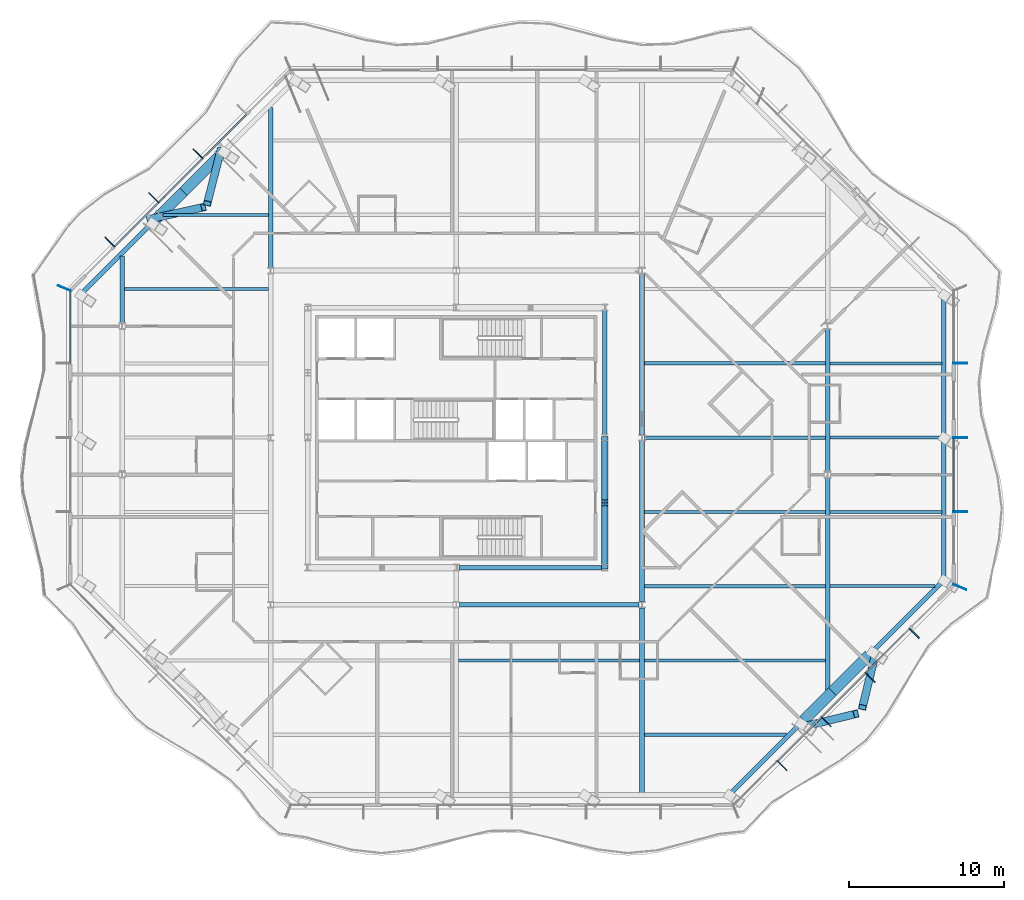
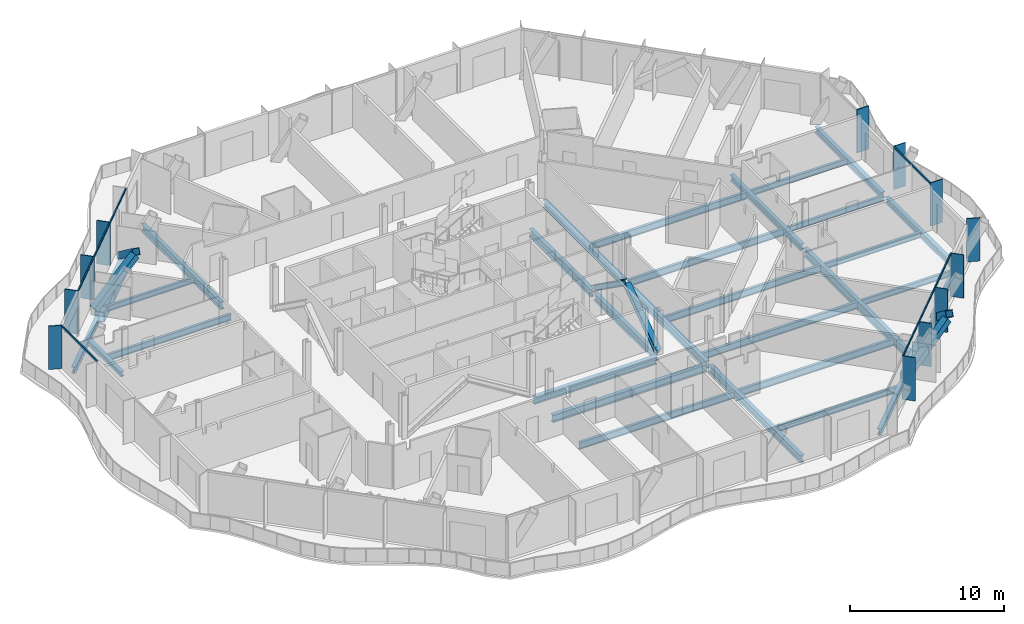
# One storey, part 4 of 19: 33 beams, 26 members, 4 elements without a shape of their own.
"""IFC4 building model written with IfcOpenShell, lengths in metres."""

from ifc_helpers import new_model, si_unit, direction, frame, origin, origin_2d, place, context, subcontext, project, spatial, rectangle, hollow_rectangle, i_section, extrude, material, material_profile, profile_set, type_object, element, aggregate, save


model = new_model("IFC4")

# Units and contexts
model_context = context("Model", 3, precision=1e-05, world=origin(), true_north=direction((0.0, 1.0)))
body_context = subcontext(model_context, "Body", "Model", "MODEL_VIEW")
ifc_project = project(units=[si_unit("LENGTHUNIT", "METRE"), si_unit("AREAUNIT", "SQUARE_METRE"), si_unit("VOLUMEUNIT", "CUBIC_METRE"), si_unit("PLANEANGLEUNIT", "RADIAN"), si_unit("MASSUNIT", "GRAM", prefix="KILO")], contexts=[model_context])

# Site, building, storey
site_placement = place(None, origin())
site = spatial("IfcSite", under=ifc_project, at=site_placement, CompositionType="ELEMENT")
building_placement = place(site_placement, origin())
building = spatial("IfcBuilding", under=site, at=building_placement, Name="Cairn Pilgrim Tower", CompositionType="ELEMENT")
storey_placement = place(building_placement, frame((0.0, 0.0, 186.60009765625)))
storey = spatial("IfcBuildingStorey", under=building, at=storey_placement, Name="L47", CompositionType="ELEMENT", Elevation=186.60009765625)

# Members
ifc_material_1 = material(Name="Structural steel S460M", Category="steel")
ifc_material_profile_1 = material_profile(ifc_material_1, hollow_rectangle(XDim=0.5, YDim=0.5, WallThickness=0.030029296875, at=origin_2d()), Name="BOX 500x500x30")
ifc_profile_set_1 = profile_set([ifc_material_profile_1], Name="Structural steel S460M")
member_type_1 = type_object("IfcMemberType", Name="BOX 500x500x30 BRACE", PredefinedType="BRACE", material=ifc_profile_set_1)
for number, where, z_axis, x_axis, name in (
    (1, (29.716552734375, -16.256103515625, 0.14990234375), (0.771705070159, 0.18757668962, 0.607689287549), (-0.236190662616, 0.971706730909, 0.0), "XB-SE2-SE3-1"),
    (2, (34.256103515625, -11.716552734375, 0.14990234375), (-0.18757668962, -0.771705070159, 0.607689287549), (0.971706730909, -0.236190662616, 0.0), "XB-SE2-SE3-2"),
):
    element("IfcMember", number, at=place(storey_placement, frame(where, z_axis=z_axis, x_axis=x_axis)), inside=storey, type_object=member_type_1, Name=name, PredefinedType="BRACE", context=body_context, shape_type="SweptSolid", body=[
        extrude(hollow_rectangle(XDim=0.5, YDim=0.5, WallThickness=0.030029296875, at=origin_2d()), origin(), (0.0, 0.0, 1.0), 4.289794921875),
    ])
member_1_placement = place(storey_placement, frame((-8.02490234375, 20.99365234375, 0.091552734375), z_axis=(-0.195314443932, -0.776263784606, 0.599388692504), x_axis=(0.969774394429, -0.244003327662, 0.0)))
element("IfcMember", 3, at=member_1_placement, inside=storey, type_object=member_type_1, Name="XB-NW2-NW3-1", PredefinedType="BRACE", context=body_context, shape_type="SweptSolid", body=[
    extrude(hollow_rectangle(XDim=0.5, YDim=0.5, WallThickness=0.030029296875, at=origin_2d()), origin(), (0.0, 0.0, 1.0), 4.44873046875),
])
member_2_placement = place(storey_placement, frame((-12.656005859375, 16.5166015625, 0.14990234375), z_axis=(0.790770737292, 0.174836054964, 0.586612303763), x_axis=(-0.215882190598, 0.976419417967, 0.0)))
element("IfcMember", 4, at=member_2_placement, inside=storey, type_object=member_type_1, Name="XB-NW2-NW3-2", PredefinedType="BRACE", context=body_context, shape_type="SweptSolid", body=[
    extrude(hollow_rectangle(XDim=0.5, YDim=0.5, WallThickness=0.030029296875, at=origin_2d()), origin(), (0.0, 0.0, 1.0), 4.446044921875),
])

# Beams
ifc_material_2 = material(Name="Structural steel S355J2", Category="steel")
ifc_material_profile_2 = material_profile(ifc_material_2, hollow_rectangle(XDim=0.699951171875, YDim=0.800048828125, WallThickness=0.0400390625, at=origin_2d()), Name="BOX 700x800x40")
ifc_profile_set_2 = profile_set([ifc_material_profile_2], Name="Structural steel S355J2")
beam_type_1 = type_object("IfcBeamType", Name="BOX 700x800x40 RING GIRDER", PredefinedType="SPANDREL", material=ifc_profile_set_2)
beam_1_placement = place(storey_placement, frame((29.642333984375, -15.884765625, -0.550048828125), z_axis=(0.707153217357, 0.707060341967, 0.0), x_axis=(-0.707060341967, 0.707153217357, 0.0)))
element("IfcBeam", 5, at=beam_1_placement, inside=storey, type_object=beam_type_1, Name="RG2-SE2-SE3-1", PredefinedType="SPANDREL", context=body_context, shape_type="SweptSolid", body=[
    extrude(hollow_rectangle(XDim=0.699951171875, YDim=0.800048828125, WallThickness=0.0400390625, at=origin_2d()), origin(), (0.0, 0.0, 1.0), 2.628662109375),
])
for number, where, z_axis, x_axis, name in (
    (6, (31.501220703125, -14.026123046875, -0.550048828125), (0.707070568512, 0.707142992006, 0.0), (-0.707142992006, 0.707070568512, 0.0), "RG2-SE2-SE3-2"),
    (7, (-8.04248046875, 20.684814453125, -0.550048828125), (-0.707070568512, -0.707142992006, 0.0), (0.707142992006, -0.707070568512, 0.0), "RG2-NW2-NW3-1"),
):
    element("IfcBeam", number, at=place(storey_placement, frame(where, z_axis=z_axis, x_axis=x_axis)), inside=storey, type_object=beam_type_1, Name=name, PredefinedType="SPANDREL", context=body_context, shape_type="SweptSolid", body=[
        extrude(hollow_rectangle(XDim=0.699951171875, YDim=0.800048828125, WallThickness=0.0400390625, at=origin_2d()), origin(), (0.0, 0.0, 1.0), 3.37109375),
    ])
beam_2_placement = place(storey_placement, frame((-10.426025390625, 18.301025390625, -0.550048828125), z_axis=(-0.707153217357, -0.707060341967, 0.0), x_axis=(0.707060341967, -0.707153217357, 0.0)))
element("IfcBeam", 8, at=beam_2_placement, inside=storey, type_object=beam_type_1, Name="RG2-NW2-NW3-2", PredefinedType="SPANDREL", context=body_context, shape_type="SweptSolid", body=[
    extrude(hollow_rectangle(XDim=0.699951171875, YDim=0.800048828125, WallThickness=0.0400390625, at=origin_2d()), origin(), (0.0, 0.0, 1.0), 2.628662109375),
])

# Curtain wall, members
ifc_material_3 = material(Name="Aluminium alloy 6063-T6 bronze anodised with Bronze tinted laminated low-E glass 8+16+8.8", Category="aluminium")
curtain_wall_type_1 = type_object("IfcCurtainWallType", Name="CHAMFER CORNER CURTAIN WALL", PredefinedType="NOTDEFINED", material=ifc_material_3)
curtain_wall_1_placement = place(storey_placement, origin())
curtain_wall_1 = element("IfcCurtainWall", 9, at=curtain_wall_1_placement, inside=storey, type_object=curtain_wall_type_1, Name="Chamfer Corner Curtain Wall SE", PredefinedType="NOTDEFINED")
ifc_material_4 = material(Name="Aluminium alloy 6063-T6 bronze anodised", Category="aluminium")
ifc_material_profile_3 = material_profile(ifc_material_4, rectangle(XDim=0.89990234375, YDim=0.06005859375, at=origin_2d()), Name="FIN MULLION 60x900 BRONZE")
ifc_profile_set_3 = profile_set([ifc_material_profile_3], Name="Aluminium alloy 6063-T6 bronze anodised")
member_type_2 = type_object("IfcMemberType", Name="FIN MULLION 60x900 BRONZE", PredefinedType="MULLION", material=ifc_profile_set_3)
member_3_placement = place(storey_placement, frame((28.244140625, -18.79638671875, 0.0), z_axis=(0.0, 0.0, 1.0), x_axis=(0.707106781187, -0.707106781187, 0.0)))
member_3 = element("IfcMember", 10, at=member_3_placement, type_object=member_type_2, Name="Fin mullion SE2", PredefinedType="MULLION", context=body_context, shape_type="SweptSolid", body=[
    extrude(rectangle(XDim=0.89990234375, YDim=0.06005859375, at=origin_2d()), origin(), (0.0, 0.0, 1.0), 3.449951171875),
])
member_4_placement = place(storey_placement, frame((31.094970703125, -15.945556640625, 0.0), z_axis=(0.0, 0.0, 1.0), x_axis=(0.707106781187, -0.707106781187, 0.0)))
member_4 = element("IfcMember", 11, at=member_4_placement, type_object=member_type_2, Name="Fin mullion SE3", PredefinedType="MULLION", context=body_context, shape_type="SweptSolid", body=[
    extrude(rectangle(XDim=0.89990234375, YDim=0.06005859375, at=origin_2d()), origin(), (0.0, 0.0, 1.0), 3.449951171875),
])
member_5_placement = place(storey_placement, frame((33.945556640625, -13.094970703125, 0.0), z_axis=(0.0, 0.0, 1.0), x_axis=(0.707106781187, -0.707106781187, 0.0)))
member_5 = element("IfcMember", 12, at=member_5_placement, type_object=member_type_2, Name="Fin mullion SE4", PredefinedType="MULLION", context=body_context, shape_type="SweptSolid", body=[
    extrude(rectangle(XDim=0.89990234375, YDim=0.06005859375, at=origin_2d()), origin(), (0.0, 0.0, 1.0), 3.449951171875),
])
member_6_placement = place(storey_placement, frame((36.79638671875, -10.244140625, 0.0), z_axis=(0.0, 0.0, 1.0), x_axis=(0.707106781187, -0.707106781187, 0.0)))
member_6 = element("IfcMember", 13, at=member_6_placement, type_object=member_type_2, Name="Fin mullion SE5", PredefinedType="MULLION", context=body_context, shape_type="SweptSolid", body=[
    extrude(rectangle(XDim=0.89990234375, YDim=0.06005859375, at=origin_2d()), origin(), (0.0, 0.0, 1.0), 3.449951171875),
])

curtain_wall_type_2 = type_object("IfcCurtainWallType", Name="TOWER STICK CURTAIN WALL EW", PredefinedType="NOTDEFINED", material=ifc_material_3)
curtain_wall_2_placement = place(storey_placement, origin())
curtain_wall_2 = element("IfcCurtainWall", 14, at=curtain_wall_2_placement, inside=storey, type_object=curtain_wall_type_2, Name="Tower Stick Curtain Wall Ew E", PredefinedType="NOTDEFINED")
member_7_placement = place(storey_placement, frame((39.738037109375, -7.257080078125, 0.0), z_axis=(0.0, 0.0, 1.0), x_axis=(0.923879532511, -0.382683432365, 0.0)))
member_7 = element("IfcMember", 15, at=member_7_placement, type_object=member_type_2, Name="Fin mullion E1", PredefinedType="MULLION", context=body_context, shape_type="SweptSolid", body=[
    extrude(rectangle(XDim=0.89990234375, YDim=0.06005859375, at=origin_2d()), origin(), (0.0, 0.0, 1.0), 3.449951171875),
])
member_8_placement = place(storey_placement, frame((39.77001953125, -2.39990234375, 0.0), z_axis=(0.0, 0.0, 1.0), x_axis=(1.0, 0.0, 0.0)))
member_8 = element("IfcMember", 16, at=member_8_placement, type_object=member_type_2, Name="Fin mullion E2", PredefinedType="MULLION", context=body_context, shape_type="SweptSolid", body=[
    extrude(rectangle(XDim=0.89990234375, YDim=0.06005859375, at=origin_2d()), origin(), (0.0, 0.0, 1.0), 3.449951171875),
])
member_9_placement = place(storey_placement, frame((39.77001953125, 2.39990234375, 0.0), z_axis=(0.0, 0.0, 1.0), x_axis=(1.0, 0.0, 0.0)))
member_9 = element("IfcMember", 17, at=member_9_placement, type_object=member_type_2, Name="Fin mullion E3", PredefinedType="MULLION", context=body_context, shape_type="SweptSolid", body=[
    extrude(rectangle(XDim=0.89990234375, YDim=0.06005859375, at=origin_2d()), origin(), (0.0, 0.0, 1.0), 3.449951171875),
])
member_10_placement = place(storey_placement, frame((39.77001953125, 7.199951171875, 0.0), z_axis=(0.0, 0.0, 1.0), x_axis=(1.0, 0.0, 0.0)))
member_10 = element("IfcMember", 18, at=member_10_placement, type_object=member_type_2, Name="Fin mullion E4", PredefinedType="MULLION", context=body_context, shape_type="SweptSolid", body=[
    extrude(rectangle(XDim=0.89990234375, YDim=0.06005859375, at=origin_2d()), origin(), (0.0, 0.0, 1.0), 3.449951171875),
])

curtain_wall_3_placement = place(storey_placement, origin())
curtain_wall_3 = element("IfcCurtainWall", 19, at=curtain_wall_3_placement, inside=storey, type_object=curtain_wall_type_1, Name="Chamfer Corner Curtain Wall NW", PredefinedType="NOTDEFINED")
member_11_placement = place(storey_placement, frame((-9.494873046875, 20.74560546875, 0.0), z_axis=(0.0, 0.0, 1.0), x_axis=(-0.707106781187, 0.707106781187, 0.0)))
member_11 = element("IfcMember", 20, at=member_11_placement, type_object=member_type_2, Name="Fin mullion NW3", PredefinedType="MULLION", context=body_context, shape_type="SweptSolid", body=[
    extrude(rectangle(XDim=0.89990234375, YDim=0.06005859375, at=origin_2d()), origin(), (0.0, 0.0, 1.0), 3.449951171875),
])
member_12_placement = place(storey_placement, frame((-12.345458984375, 17.894775390625, 0.0), z_axis=(0.0, 0.0, 1.0), x_axis=(-0.707106781187, 0.707106781187, 0.0)))
member_12 = element("IfcMember", 21, at=member_12_placement, type_object=member_type_2, Name="Fin mullion NW4", PredefinedType="MULLION", context=body_context, shape_type="SweptSolid", body=[
    extrude(rectangle(XDim=0.89990234375, YDim=0.06005859375, at=origin_2d()), origin(), (0.0, 0.0, 1.0), 3.449951171875),
])
member_13_placement = place(storey_placement, frame((-15.1962890625, 15.044189453125, 0.0), z_axis=(0.0, 0.0, 1.0), x_axis=(-0.707106781187, 0.707106781187, 0.0)))
member_13 = element("IfcMember", 22, at=member_13_placement, type_object=member_type_2, Name="Fin mullion NW5", PredefinedType="MULLION", context=body_context, shape_type="SweptSolid", body=[
    extrude(rectangle(XDim=0.89990234375, YDim=0.06005859375, at=origin_2d()), origin(), (0.0, 0.0, 1.0), 3.449951171875),
])

# Curtain wall, member
curtain_wall_4_placement = place(storey_placement, origin())
curtain_wall_4 = element("IfcCurtainWall", 23, at=curtain_wall_4_placement, inside=storey, type_object=curtain_wall_type_2, Name="Tower Stick Curtain Wall Ew W", PredefinedType="NOTDEFINED")
member_14_placement = place(storey_placement, frame((-18.137939453125, 12.05712890625, 0.0), z_axis=(0.0, 0.0, 1.0), x_axis=(-0.923879532511, 0.382683432365, 0.0)))
member_14 = element("IfcMember", 24, at=member_14_placement, type_object=member_type_2, Name="Fin mullion W1", PredefinedType="MULLION", context=body_context, shape_type="SweptSolid", body=[
    extrude(rectangle(XDim=0.89990234375, YDim=0.06005859375, at=origin_2d()), origin(), (0.0, 0.0, 1.0), 3.449951171875),
])

# Members
ifc_material_profile_4 = material_profile(ifc_material_1, i_section(OverallWidth=0.408935546875, OverallDepth=0.425048828125, WebThickness=0.03271484375, FlangeThickness=0.052490234375, FilletRadius=0.014892578125, at=origin_2d()), Name="HD 400x421")
ifc_profile_set_4 = profile_set([ifc_material_profile_4], Name="Structural steel S460M")
member_type_3 = type_object("IfcMemberType", Name="HD 400x421 BRACE", PredefinedType="BRACE", material=ifc_profile_set_4)
member_15_placement = place(storey_placement, frame((16.800048828125, -5.95849609375, 0.099853515625), z_axis=(0.0, 0.814346882511, 0.580378458373), x_axis=(-1.0, 0.0, 0.0)))
element("IfcMember", 25, at=member_15_placement, inside=storey, type_object=member_type_3, Name="KB-2A", PredefinedType="BRACE", context=body_context, shape_type="SweptSolid", body=[
    extrude(i_section(OverallWidth=0.408935546875, OverallDepth=0.425048828125, WebThickness=0.03271484375, FlangeThickness=0.052490234375, FilletRadius=0.014892578125, at=origin_2d()), origin(), (0.0, 0.0, 1.0), 4.998291015625),
])
member_16_placement = place(storey_placement, frame((16.800048828125, 2.3583984375, 0.099853515625), z_axis=(0.0, -0.81433042856, 0.580401544727), x_axis=(1.0, 0.0, 0.0)))
element("IfcMember", 26, at=member_16_placement, inside=storey, type_object=member_type_3, Name="KB-2B", PredefinedType="BRACE", context=body_context, shape_type="SweptSolid", body=[
    extrude(i_section(OverallWidth=0.408935546875, OverallDepth=0.425048828125, WebThickness=0.03271484375, FlangeThickness=0.052490234375, FilletRadius=0.014892578125, at=origin_2d()), origin(), (0.0, 0.0, 1.0), 4.998046875),
])

# Beams
ifc_material_profile_5 = material_profile(ifc_material_2, i_section(OverallWidth=0.300048828125, OverallDepth=0.39990234375, WebThickness=0.013427734375, FlangeThickness=0.02392578125, FilletRadius=0.027099609375, at=origin_2d()), Name="HEB 400")
ifc_profile_set_5 = profile_set([ifc_material_profile_5], Name="Structural steel S355J2")
beam_type_2 = type_object("IfcBeamType", Name="HEB 400 GIRDER", PredefinedType="BEAM", material=ifc_profile_set_5)
beam_3_placement = place(storey_placement, frame((-14.39990234375, 9.799560546875, -0.35009765625), z_axis=(0.0, 1.0, 0.0), x_axis=(-1.0, 0.0, 0.0)))
element("IfcBeam", 27, at=beam_3_placement, inside=storey, type_object=beam_type_2, Name="PG1-3", PredefinedType="BEAM", context=body_context, shape_type="SweptSolid", body=[
    extrude(i_section(OverallWidth=0.300048828125, OverallDepth=0.39990234375, WebThickness=0.013427734375, FlangeThickness=0.02392578125, FilletRadius=0.027099609375, at=origin_2d()), origin(), (0.0, 0.0, 1.0), 4.345458984375),
])
ifc_material_profile_6 = material_profile(ifc_material_2, i_section(OverallWidth=0.300048828125, OverallDepth=0.5, WebThickness=0.014404296875, FlangeThickness=0.028076171875, FilletRadius=0.027099609375, at=origin_2d()), Name="HEB 500")
ifc_profile_set_6 = profile_set([ifc_material_profile_6], Name="Structural steel S355J2")
beam_type_3 = type_object("IfcBeamType", Name="HEB 500 GIRDER", PredefinedType="BEAM", material=ifc_profile_set_6)
beam_4_placement = place(storey_placement, frame((31.199951171875, 0.20458984375, -0.400146484375), z_axis=(0.0, 1.0, 0.0), x_axis=(-1.0, 0.0, 0.0)))
element("IfcBeam", 28, at=beam_4_placement, inside=storey, type_object=beam_type_3, Name="PG5-2", PredefinedType="BEAM", context=body_context, shape_type="SweptSolid", body=[
    extrude(i_section(OverallWidth=0.300048828125, OverallDepth=0.5, WebThickness=0.014404296875, FlangeThickness=0.028076171875, FilletRadius=0.027099609375, at=origin_2d()), origin(), (0.0, 0.0, 1.0), 9.19091796875),
])
ifc_material_profile_7 = material_profile(ifc_material_2, i_section(OverallWidth=0.300048828125, OverallDepth=0.5, WebThickness=0.014404296875, FlangeThickness=0.028076171875, FilletRadius=0.027099609375, at=origin_2d()), Name="HEB 500")
ifc_profile_set_7 = profile_set([ifc_material_profile_7], Name="Structural steel S355J2")
beam_type_4 = type_object("IfcBeamType", Name="HEB 500 RING GIRDER", PredefinedType="SPANDREL", material=ifc_profile_set_7)
for number, where, z_axis, x_axis, name in (
    (29, (25.01806640625, -20.509033203125, -0.400146484375), (0.707106781187, 0.707106781187, 0.0), (-0.707106781187, 0.707106781187, 0.0), "RG2-SE1-SE2"),
    (30, (34.2666015625, -11.260498046875, -0.400146484375), (0.707106781187, 0.707106781187, 0.0), (-0.707106781187, 0.707106781187, 0.0), "RG2-SE3-E1"),
):
    element("IfcBeam", number, at=place(storey_placement, frame(where, z_axis=z_axis, x_axis=x_axis)), inside=storey, type_object=beam_type_4, Name=name, PredefinedType="SPANDREL", context=body_context, shape_type="SweptSolid", body=[
        extrude(i_section(OverallWidth=0.300048828125, OverallDepth=0.5, WebThickness=0.014404296875, FlangeThickness=0.028076171875, FilletRadius=0.027099609375, at=origin_2d()), origin(), (0.0, 0.0, 1.0), 5.999755859375),
    ])
beam_5_placement = place(storey_placement, frame((38.699951171875, -6.55712890625, -0.400146484375), z_axis=(0.0, 1.0, 0.0), x_axis=(-1.0, 0.0, 0.0)))
element("IfcBeam", 31, at=beam_5_placement, inside=storey, type_object=beam_type_4, Name="RG2-E1-E2", PredefinedType="SPANDREL", context=body_context, shape_type="SweptSolid", body=[
    extrude(i_section(OverallWidth=0.300048828125, OverallDepth=0.5, WebThickness=0.014404296875, FlangeThickness=0.028076171875, FilletRadius=0.027099609375, at=origin_2d()), origin(), (0.0, 0.0, 1.0), 8.68701171875),
])
beam_6_placement = place(storey_placement, frame((38.699951171875, 2.669921875, -0.400146484375), z_axis=(0.0, 1.0, 0.0), x_axis=(-1.0, 0.0, 0.0)))
element("IfcBeam", 32, at=beam_6_placement, inside=storey, type_object=beam_type_4, Name="RG2-E2-NE1", PredefinedType="SPANDREL", context=body_context, shape_type="SweptSolid", body=[
    extrude(i_section(OverallWidth=0.300048828125, OverallDepth=0.5, WebThickness=0.014404296875, FlangeThickness=0.028076171875, FilletRadius=0.027099609375, at=origin_2d()), origin(), (0.0, 0.0, 1.0), 8.687255859375),
])
beam_7_placement = place(storey_placement, frame((-12.666748046875, 16.060546875, -0.400146484375), z_axis=(-0.707106781187, -0.707106781187, 0.0), x_axis=(0.707106781187, -0.707106781187, 0.0)))
element("IfcBeam", 33, at=beam_7_placement, inside=storey, type_object=beam_type_4, Name="RG2-NW3-W1", PredefinedType="SPANDREL", context=body_context, shape_type="SweptSolid", body=[
    extrude(i_section(OverallWidth=0.300048828125, OverallDepth=0.5, WebThickness=0.014404296875, FlangeThickness=0.028076171875, FilletRadius=0.027099609375, at=origin_2d()), origin(), (0.0, 0.0, 1.0), 5.999755859375),
])
ifc_material_profile_8 = material_profile(ifc_material_2, i_section(OverallWidth=0.300048828125, OverallDepth=0.60009765625, WebThickness=0.015380859375, FlangeThickness=0.030029296875, FilletRadius=0.027099609375, at=origin_2d()), Name="HEB 600")
ifc_profile_set_8 = profile_set([ifc_material_profile_8], Name="Structural steel S355J2")
beam_type_5 = type_object("IfcBeamType", Name="HEB 600 CORE BEAM", PredefinedType="BEAM", material=ifc_profile_set_8)
beam_8_placement = place(storey_placement, frame((7.38720703125, -6.0, -0.4501953125), z_axis=(1.0, 0.0, 0.0), x_axis=(0.0, 1.0, 0.0)))
element("IfcBeam", 34, at=beam_8_placement, inside=storey, type_object=beam_type_5, Name="CB-2", PredefinedType="BEAM", context=body_context, shape_type="SweptSolid", body=[
    extrude(i_section(OverallWidth=0.300048828125, OverallDepth=0.60009765625, WebThickness=0.015380859375, FlangeThickness=0.030029296875, FilletRadius=0.027099609375, at=origin_2d()), origin(), (0.0, 0.0, 1.0), 9.2255859375),
])
for number, where, z_axis, x_axis, name in (
    (35, (16.800048828125, -5.812744140625, -0.4501953125), (0.0, 1.0, 0.0), (-1.0, 0.0, 0.0), "CB-3"),
    (36, (16.800048828125, 2.587158203125, -0.4501953125), (0.0, 1.0, 0.0), (-1.0, 0.0, 0.0), "CB-4"),
):
    element("IfcBeam", number, at=place(storey_placement, frame(where, z_axis=z_axis, x_axis=x_axis)), inside=storey, type_object=beam_type_5, Name=name, PredefinedType="BEAM", context=body_context, shape_type="SweptSolid", body=[
        extrude(i_section(OverallWidth=0.300048828125, OverallDepth=0.60009765625, WebThickness=0.015380859375, FlangeThickness=0.030029296875, FilletRadius=0.027099609375, at=origin_2d()), origin(), (0.0, 0.0, 1.0), 8.025634765625),
    ])
ifc_material_profile_9 = material_profile(ifc_material_2, i_section(OverallWidth=0.300048828125, OverallDepth=0.60009765625, WebThickness=0.015380859375, FlangeThickness=0.030029296875, FilletRadius=0.027099609375, at=origin_2d()), Name="HEB 600")
ifc_profile_set_9 = profile_set([ifc_material_profile_9], Name="Structural steel S355J2")
beam_type_6 = type_object("IfcBeamType", Name="HEB 600 GIRDER", PredefinedType="BEAM", material=ifc_profile_set_9)
beam_9_placement = place(storey_placement, frame((-4.800048828125, 13.3994140625, -0.4501953125), z_axis=(0.0, 1.0, 0.0), x_axis=(-1.0, 0.0, 0.0)))
element("IfcBeam", 37, at=beam_9_placement, inside=storey, type_object=beam_type_6, Name="PG2-4", PredefinedType="BEAM", context=body_context, shape_type="SweptSolid", body=[
    extrude(i_section(OverallWidth=0.300048828125, OverallDepth=0.60009765625, WebThickness=0.015380859375, FlangeThickness=0.030029296875, FilletRadius=0.027099609375, at=origin_2d()), origin(), (0.0, 0.0, 1.0), 10.345703125),
])
beam_10_placement = place(storey_placement, frame((19.199951171875, -20.580078125, -0.4501953125), z_axis=(0.0, 1.0, 0.0), x_axis=(-1.0, 0.0, 0.0)))
element("IfcBeam", 38, at=beam_10_placement, inside=storey, type_object=beam_type_6, Name="PG4-1", PredefinedType="BEAM", context=body_context, shape_type="SweptSolid", body=[
    extrude(i_section(OverallWidth=0.300048828125, OverallDepth=0.60009765625, WebThickness=0.015380859375, FlangeThickness=0.030029296875, FilletRadius=0.027099609375, at=origin_2d()), origin(), (0.0, 0.0, 1.0), 11.98046875),
])
for number, where, z_axis, x_axis, name in (
    (39, (19.199951171875, -8.200439453125, -0.4501953125), (0.0, 1.0, 0.0), (-1.0, 0.0, 0.0), "PG4-2"),
    (40, (19.199951171875, 2.599609375, -0.4501953125), (0.0, 1.0, 0.0), (-1.0, 0.0, 0.0), "PG4-3"),
):
    element("IfcBeam", number, at=place(storey_placement, frame(where, z_axis=z_axis, x_axis=x_axis)), inside=storey, type_object=beam_type_6, Name=name, PredefinedType="BEAM", context=body_context, shape_type="SweptSolid", body=[
        extrude(i_section(OverallWidth=0.300048828125, OverallDepth=0.60009765625, WebThickness=0.015380859375, FlangeThickness=0.030029296875, FilletRadius=0.027099609375, at=origin_2d()), origin(), (0.0, 0.0, 1.0), 10.40087890625),
    ])
ifc_material_profile_10 = material_profile(ifc_material_2, i_section(OverallWidth=0.300048828125, OverallDepth=0.60009765625, WebThickness=0.015380859375, FlangeThickness=0.030029296875, FilletRadius=0.027099609375, at=origin_2d()), Name="HEB 600")
ifc_profile_set_10 = profile_set([ifc_material_profile_10], Name="Structural steel S355J2")
beam_type_7 = type_object("IfcBeamType", Name="HEB 600 INNER GIRDER", PredefinedType="BEAM", material=ifc_profile_set_10)
beam_11_placement = place(storey_placement, frame((7.3994140625, -8.39990234375, -0.4501953125), z_axis=(1.0, 0.0, 0.0), x_axis=(0.0, 1.0, 0.0)))
element("IfcBeam", 41, at=beam_11_placement, inside=storey, type_object=beam_type_7, Name="IG1-2", PredefinedType="BEAM", context=body_context, shape_type="SweptSolid", body=[
    extrude(i_section(OverallWidth=0.300048828125, OverallDepth=0.60009765625, WebThickness=0.015380859375, FlangeThickness=0.030029296875, FilletRadius=0.027099609375, at=origin_2d()), origin(), (0.0, 0.0, 1.0), 11.60107421875),
])
ifc_material_profile_11 = material_profile(ifc_material_2, i_section(OverallWidth=0.300048828125, OverallDepth=0.699951171875, WebThickness=0.01708984375, FlangeThickness=0.031982421875, FilletRadius=0.027099609375, at=origin_2d()), Name="HEB 700")
ifc_profile_set_11 = profile_set([ifc_material_profile_11], Name="Structural steel S355J2")
beam_type_8 = type_object("IfcBeamType", Name="HEB 700 GIRDER", PredefinedType="BEAM", material=ifc_profile_set_11)
beam_12_placement = place(storey_placement, frame((31.199951171875, -14.14501953125, -0.5), z_axis=(0.0, 1.0, 0.0), x_axis=(-1.0, 0.0, 0.0)))
element("IfcBeam", 42, at=beam_12_placement, inside=storey, type_object=beam_type_8, Name="PG5-1", PredefinedType="BEAM", context=body_context, shape_type="SweptSolid", body=[
    extrude(i_section(OverallWidth=0.300048828125, OverallDepth=0.699951171875, WebThickness=0.01708984375, FlangeThickness=0.031982421875, FilletRadius=0.027099609375, at=origin_2d()), origin(), (0.0, 0.0, 1.0), 13.9404296875),
])
ifc_material_profile_12 = material_profile(ifc_material_2, i_section(OverallWidth=0.18994140625, OverallDepth=0.449951171875, WebThickness=0.009521484375, FlangeThickness=0.0146484375, FilletRadius=0.02099609375, at=origin_2d()), Name="IPE 450")
ifc_profile_set_12 = profile_set([ifc_material_profile_12], Name="Structural steel S355J2")
beam_type_9 = type_object("IfcBeamType", Name="IPE 450 SECONDARY BEAM", PredefinedType="JOIST", material=ifc_profile_set_12)
beam_13_placement = place(storey_placement, frame((31.35009765625, -7.199951171875, -0.375), z_axis=(1.0, 0.0, 0.0), x_axis=(0.0, 1.0, 0.0)))
element("IfcBeam", 43, at=beam_13_placement, inside=storey, type_object=beam_type_9, Name="SB3-3", PredefinedType="JOIST", context=body_context, shape_type="SweptSolid", body=[
    extrude(i_section(OverallWidth=0.18994140625, OverallDepth=0.449951171875, WebThickness=0.009521484375, FlangeThickness=0.0146484375, FilletRadius=0.02099609375, at=origin_2d()), origin(), (0.0, 0.0, 1.0), 6.794921875),
])
for number, where, z_axis, x_axis, name in (
    (44, (31.35009765625, -2.39990234375, -0.375), (1.0, 0.0, 0.0), (0.0, 1.0, 0.0), "SB4-3"),
    (45, (31.35009765625, 2.39990234375, -0.375), (1.0, 0.0, 0.0), (0.0, 1.0, 0.0), "SB5-3"),
    (46, (31.35009765625, 7.199951171875, -0.375), (1.0, 0.0, 0.0), (0.0, 1.0, 0.0), "SB6-3"),
):
    element("IfcBeam", number, at=place(storey_placement, frame(where, z_axis=z_axis, x_axis=x_axis)), inside=storey, type_object=beam_type_9, Name=name, PredefinedType="JOIST", context=body_context, shape_type="SweptSolid", body=[
        extrude(i_section(OverallWidth=0.18994140625, OverallDepth=0.449951171875, WebThickness=0.009521484375, FlangeThickness=0.0146484375, FilletRadius=0.02099609375, at=origin_2d()), origin(), (0.0, 0.0, 1.0), 7.22998046875),
    ])
beam_14_placement = place(storey_placement, frame((-11.7451171875, 16.800048828125, -0.375), z_axis=(1.0, 0.0, 0.0), x_axis=(0.0, 1.0, 0.0)))
element("IfcBeam", 47, at=beam_14_placement, inside=storey, type_object=beam_type_9, Name="SB8-1", PredefinedType="JOIST", context=body_context, shape_type="SweptSolid", body=[
    extrude(i_section(OverallWidth=0.18994140625, OverallDepth=0.449951171875, WebThickness=0.009521484375, FlangeThickness=0.0146484375, FilletRadius=0.02099609375, at=origin_2d()), origin(), (0.0, 0.0, 1.0), 6.795166015625),
])
ifc_material_profile_13 = material_profile(ifc_material_2, i_section(OverallWidth=0.199951171875, OverallDepth=0.5, WebThickness=0.01025390625, FlangeThickness=0.01611328125, FilletRadius=0.02099609375, at=origin_2d()), Name="IPE 500")
ifc_profile_set_13 = profile_set([ifc_material_profile_13], Name="Structural steel S355J2")
beam_type_10 = type_object("IfcBeamType", Name="IPE 500 SECONDARY BEAM", PredefinedType="JOIST", material=ifc_profile_set_13)
beam_15_placement = place(storey_placement, frame((19.35009765625, -16.800048828125, -0.400146484375), z_axis=(1.0, 0.0, 0.0), x_axis=(0.0, 1.0, 0.0)))
element("IfcBeam", 48, at=beam_15_placement, inside=storey, type_object=beam_type_10, Name="SB1-3", PredefinedType="JOIST", context=body_context, shape_type="SweptSolid", body=[
    extrude(i_section(OverallWidth=0.199951171875, OverallDepth=0.5, WebThickness=0.01025390625, FlangeThickness=0.01611328125, FilletRadius=0.02099609375, at=origin_2d()), origin(), (0.0, 0.0, 1.0), 9.195068359375),
])
beam_16_placement = place(storey_placement, frame((-14.25, 12.0, -0.400146484375), z_axis=(1.0, 0.0, 0.0), x_axis=(0.0, 1.0, 0.0)))
element("IfcBeam", 49, at=beam_16_placement, inside=storey, type_object=beam_type_10, Name="SB7-1", PredefinedType="JOIST", context=body_context, shape_type="SweptSolid", body=[
    extrude(i_section(OverallWidth=0.199951171875, OverallDepth=0.5, WebThickness=0.01025390625, FlangeThickness=0.01611328125, FilletRadius=0.02099609375, at=origin_2d()), origin(), (0.0, 0.0, 1.0), 9.300048828125),
])
ifc_material_profile_14 = material_profile(ifc_material_2, i_section(OverallWidth=0.2099609375, OverallDepth=0.550048828125, WebThickness=0.010986328125, FlangeThickness=0.01708984375, FilletRadius=0.02392578125, at=origin_2d()), Name="IPE 550")
ifc_profile_set_14 = profile_set([ifc_material_profile_14], Name="Structural steel S355J2")
beam_type_11 = type_object("IfcBeamType", Name="IPE 550 SECONDARY BEAM", PredefinedType="JOIST", material=ifc_profile_set_14)
for number, where, z_axis, x_axis, name in (
    (50, (7.35009765625, -12.0, -0.425048828125), (1.0, 0.0, 0.0), (0.0, 1.0, 0.0), "SB2-3"),
    (51, (19.35009765625, -12.0, -0.425048828125), (1.0, 0.0, 0.0), (0.0, 1.0, 0.0), "SB2-4"),
    (52, (19.35009765625, -7.199951171875, -0.425048828125), (1.0, 0.0, 0.0), (0.0, 1.0, 0.0), "SB3-2"),
    (53, (19.35009765625, -2.39990234375, -0.425048828125), (1.0, 0.0, 0.0), (0.0, 1.0, 0.0), "SB4-2"),
    (54, (19.35009765625, 2.39990234375, -0.425048828125), (1.0, 0.0, 0.0), (0.0, 1.0, 0.0), "SB5-2"),
    (55, (19.35009765625, 7.199951171875, -0.425048828125), (1.0, 0.0, 0.0), (0.0, 1.0, 0.0), "SB6-2"),
):
    element("IfcBeam", number, at=place(storey_placement, frame(where, z_axis=z_axis, x_axis=x_axis)), inside=storey, type_object=beam_type_11, Name=name, PredefinedType="JOIST", context=body_context, shape_type="SweptSolid", body=[
        extrude(i_section(OverallWidth=0.2099609375, OverallDepth=0.550048828125, WebThickness=0.010986328125, FlangeThickness=0.01708984375, FilletRadius=0.02392578125, at=origin_2d()), origin(), (0.0, 0.0, 1.0), 11.699951171875),
    ])

# Member
ifc_material_profile_15 = material_profile(ifc_material_4, rectangle(XDim=0.080078125, YDim=0.14990234375, at=origin_2d()), Name="TRANSOM 80x150 BRONZE")
ifc_profile_set_15 = profile_set([ifc_material_profile_15], Name="Aluminium alloy 6063-T6 bronze anodised")
member_type_4 = type_object("IfcMemberType", Name="TRANSOM 80x150 BRONZE", PredefinedType="USERDEFINED", material=ifc_profile_set_15)
member_17_placement = place(storey_placement, frame((27.96826171875, -18.47802734375, 3.375), z_axis=(0.707106781187, 0.707106781187, 0.0), x_axis=(-0.707106781187, 0.707106781187, 0.0)))
member_17 = element("IfcMember", 56, at=member_17_placement, type_object=member_type_4, Name="Transom SE2", ObjectType="TRANSOM", PredefinedType="USERDEFINED", context=body_context, shape_type="SweptSolid", body=[
    extrude(rectangle(XDim=0.080078125, YDim=0.14990234375, at=origin_2d()), origin(), (0.0, 0.0, 1.0), 3.9716796875),
])

member_18_placement = place(storey_placement, frame((30.819091796875, -15.62744140625, 3.375), z_axis=(0.707106781187, 0.707106781187, 0.0), x_axis=(-0.707106781187, 0.707106781187, 0.0)))
member_18 = element("IfcMember", 57, at=member_18_placement, type_object=member_type_4, Name="Transom SE3", ObjectType="TRANSOM", PredefinedType="USERDEFINED", context=body_context, shape_type="SweptSolid", body=[
    extrude(rectangle(XDim=0.080078125, YDim=0.14990234375, at=origin_2d()), origin(), (0.0, 0.0, 1.0), 3.9716796875),
])

member_19_placement = place(storey_placement, frame((33.669677734375, -12.776611328125, 3.375), z_axis=(0.707106781187, 0.707106781187, 0.0), x_axis=(-0.707106781187, 0.707106781187, 0.0)))
member_19 = element("IfcMember", 58, at=member_19_placement, type_object=member_type_4, Name="Transom SE4", ObjectType="TRANSOM", PredefinedType="USERDEFINED", context=body_context, shape_type="SweptSolid", body=[
    extrude(rectangle(XDim=0.080078125, YDim=0.14990234375, at=origin_2d()), origin(), (0.0, 0.0, 1.0), 3.9716796875),
])

aggregate(curtain_wall_1, [member_3, member_4, member_5, member_6, member_17, member_18, member_19])

member_20_placement = place(storey_placement, frame((39.35009765625, -2.3701171875, 3.375), z_axis=(0.0, 1.0, 0.0), x_axis=(-1.0, 0.0, 0.0)))
member_20 = element("IfcMember", 59, at=member_20_placement, type_object=member_type_4, Name="Transom E2", ObjectType="TRANSOM", PredefinedType="USERDEFINED", context=body_context, shape_type="SweptSolid", body=[
    extrude(rectangle(XDim=0.080078125, YDim=0.14990234375, at=origin_2d()), origin(), (0.0, 0.0, 1.0), 4.740234375),
])

aggregate(curtain_wall_2, [member_7, member_8, member_9, member_10, member_20])

member_21_placement = place(storey_placement, frame((-6.368408203125, 23.278076171875, 3.375), z_axis=(-0.707106781187, -0.707106781187, 0.0), x_axis=(0.707106781187, -0.707106781187, 0.0)))
member_21 = element("IfcMember", 60, at=member_21_placement, type_object=member_type_4, Name="Transom NW2", ObjectType="TRANSOM", PredefinedType="USERDEFINED", context=body_context, shape_type="SweptSolid", body=[
    extrude(rectangle(XDim=0.080078125, YDim=0.14990234375, at=origin_2d()), origin(), (0.0, 0.0, 1.0), 3.9716796875),
])

member_22_placement = place(storey_placement, frame((-9.218994140625, 20.42724609375, 3.375), z_axis=(-0.70713751761, -0.707076043427, 0.0), x_axis=(0.707076043427, -0.70713751761, 0.0)))
member_22 = element("IfcMember", 61, at=member_22_placement, type_object=member_type_4, Name="Transom NW3", ObjectType="TRANSOM", PredefinedType="USERDEFINED", context=body_context, shape_type="SweptSolid", body=[
    extrude(rectangle(XDim=0.080078125, YDim=0.14990234375, at=origin_2d()), origin(), (0.0, 0.0, 1.0), 3.971435546875),
])

member_23_placement = place(storey_placement, frame((-12.06982421875, 17.57666015625, 3.375), z_axis=(-0.707106781187, -0.707106781187, 0.0), x_axis=(0.707106781187, -0.707106781187, 0.0)))
member_23 = element("IfcMember", 62, at=member_23_placement, type_object=member_type_4, Name="Transom NW4", ObjectType="TRANSOM", PredefinedType="USERDEFINED", context=body_context, shape_type="SweptSolid", body=[
    extrude(rectangle(XDim=0.080078125, YDim=0.14990234375, at=origin_2d()), origin(), (0.0, 0.0, 1.0), 3.9716796875),
])

aggregate(curtain_wall_3, [member_11, member_12, member_13, member_21, member_22, member_23])

member_24_placement = place(storey_placement, frame((-17.75, 11.8564453125, 3.375), z_axis=(0.0, -1.0, 0.0), x_axis=(1.0, 0.0, 0.0)))
member_24 = element("IfcMember", 63, at=member_24_placement, type_object=member_type_4, Name="Transom W1", ObjectType="TRANSOM", PredefinedType="USERDEFINED", context=body_context, shape_type="SweptSolid", body=[
    extrude(rectangle(XDim=0.080078125, YDim=0.14990234375, at=origin_2d()), origin(), (0.0, 0.0, 1.0), 4.62646484375),
])

aggregate(curtain_wall_4, [member_14, member_24])

save(model, "model.ifc")
